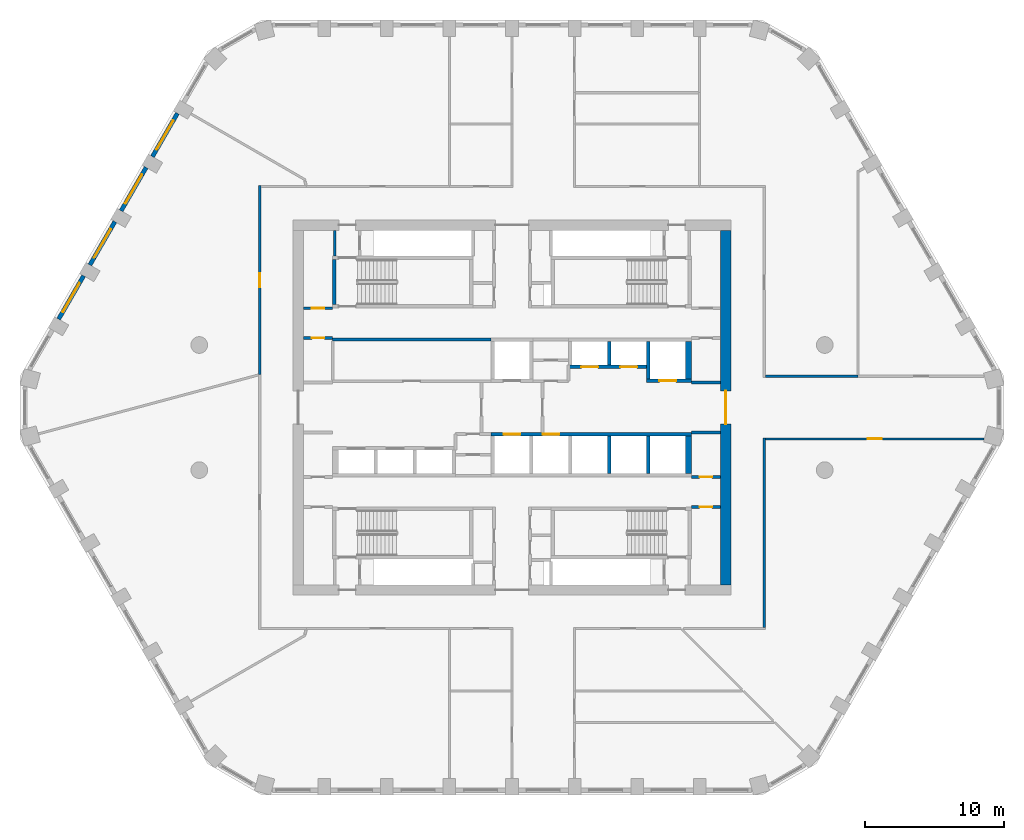
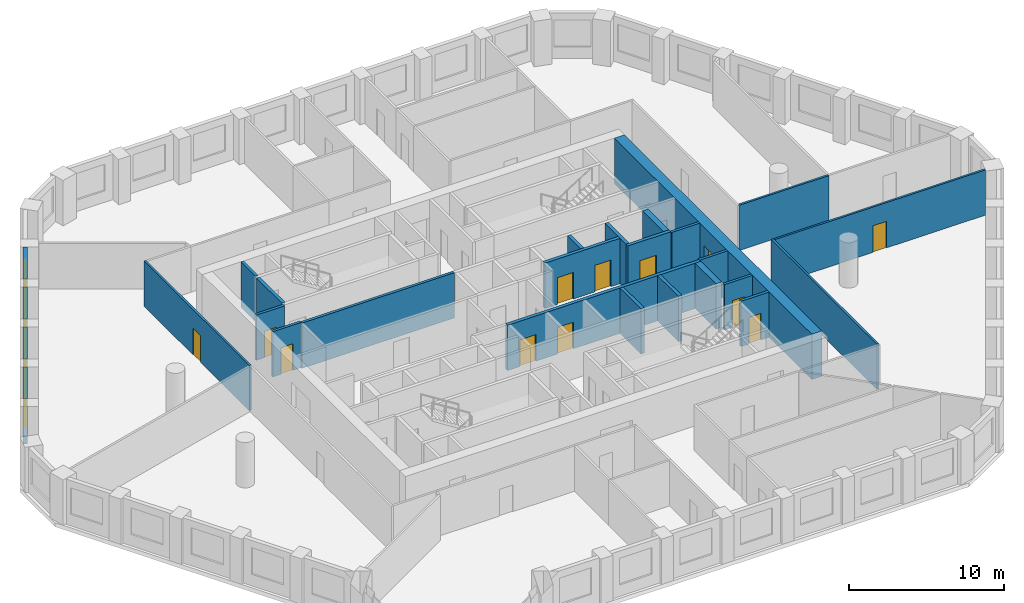
# One storey, part 5 of 9: 27 walls, 12 doors, 4 windows, 16 openings.
"""IFC4 building model written with IfcOpenShell, lengths in metres."""

from ifc_helpers import new_model, si_unit, direction, frame, frame_2d, origin, place, context, subcontext, project, spatial, polyline, rectangle, outline, extrude, material, layer, layer_set, type_object, element, fill, save


model = new_model("IFC4")

# Units and contexts
model_context = context("Model", 3, precision=1e-05, world=origin(), true_north=direction((0.0, 1.0)))
body_context = subcontext(model_context, "Body", "Model", "MODEL_VIEW")
ifc_project = project(units=[si_unit("LENGTHUNIT", "METRE"), si_unit("AREAUNIT", "SQUARE_METRE"), si_unit("VOLUMEUNIT", "CUBIC_METRE"), si_unit("PLANEANGLEUNIT", "RADIAN"), si_unit("MASSUNIT", "GRAM", prefix="KILO")], contexts=[model_context])

# Site, building, storey
site_placement = place(None, origin())
site = spatial("IfcSite", under=ifc_project, at=site_placement, CompositionType="ELEMENT")
building_placement = place(site_placement, origin())
building = spatial("IfcBuilding", under=site, at=building_placement, Name="Dhurran Vertical Campus", CompositionType="ELEMENT")
storey_placement = place(building_placement, frame((0.0, 0.0, 171.60009765625)))
storey = spatial("IfcBuildingStorey", under=building, at=storey_placement, Name="L42", CompositionType="ELEMENT", Elevation=171.60009765625)

# Wall, opening, window
ifc_material_1 = material(Name="Precast concrete C50/60", Category="concrete")
ifc_layer_1 = layer(ifc_material_1, 0.300048828125)
ifc_layer_set_1 = layer_set([ifc_layer_1], Name="Precast concrete C50/60")
wall_type_1 = type_object("IfcWallType", Name="Precast spandrel wall 300", PredefinedType="SOLIDWALL", material=ifc_layer_set_1)
wall_1_placement = place(storey_placement, frame((-24.0693359375, 21.17041015625, 0.0), z_axis=(0.0, 0.0, 1.0), x_axis=(-0.500027802648, -0.866009351323, 0.0)))
wall_1 = element("IfcWall", 1, at=wall_1_placement, inside=storey, type_object=wall_type_1, Name="EW1 L42.33", PredefinedType="SOLIDWALL", context=body_context, shape_type="SweptSolid", body=[
    extrude(rectangle(XDim=3.598876953125, YDim=0.300048828125, at=frame_2d((1.79931640625, 0.0))), origin(), (0.0, 0.0, 1.0), 3.574951171875),
])
opening_1_placement = place(wall_1_placement, frame((0.599609375, 0.0, 0.89990234375)))
opening_1 = element("IfcOpeningElement", 2, at=opening_1_placement, cuts=wall_1, Name="Opening WT1", PredefinedType="OPENING", context=body_context, shape_type="SweptSolid", body=[
    extrude(rectangle(XDim=2.39990234375, YDim=2.10009765625, at=frame_2d((1.199951171875, 1.050048828125))), frame((0.0, 0.159912109375, 0.0), z_axis=(0.0, -1.0, 0.0), x_axis=(1.0, 0.0, 0.0)), (0.0, 0.0, 1.0), 0.320068359375),
])
ifc_material_2 = material(Name="Aluminium frame with solar-control glass", Category="aluminium")
window_type = type_object("IfcWindowType", Name="Punched window 2400 x 2100", PartitioningType="SINGLE_PANEL", PredefinedType="WINDOW", material=ifc_material_2)
window_1_placement = place(opening_1_placement, origin())
window_1 = element("IfcWindow", 3, at=window_1_placement, inside=storey, type_object=window_type, Name="WT1 L42.33", OverallHeight=2.10009765625, OverallWidth=2.39990234375, PartitioningType="SINGLE_PANEL", PredefinedType="WINDOW", context=body_context, shape_type="SweptSolid", body=[
    extrude(rectangle(XDim=2.39990234375, YDim=2.10009765625, at=frame_2d((1.199951171875, 1.050048828125))), frame((0.0, 0.030029296875, 0.0), z_axis=(0.0, -1.0, 0.0), x_axis=(1.0, 0.0, 0.0)), (0.0, 0.0, 1.0), 0.06005859375),
])
fill(opening_1, window_1)

wall_2_placement = place(storey_placement, frame((-26.3193359375, 17.273193359375, 0.0), z_axis=(0.0, 0.0, 1.0), x_axis=(-0.500027802648, -0.866009351323, 0.0)))
wall_2 = element("IfcWall", 4, at=wall_2_placement, inside=storey, type_object=wall_type_1, Name="EW1 L42.34", PredefinedType="SOLIDWALL", context=body_context, shape_type="SweptSolid", body=[
    extrude(rectangle(XDim=3.598876953125, YDim=0.300048828125, at=frame_2d((1.79931640625, 0.0))), origin(), (0.0, 0.0, 1.0), 3.574951171875),
])
opening_2_placement = place(wall_2_placement, frame((0.599609375, 0.0, 0.89990234375)))
opening_2 = element("IfcOpeningElement", 5, at=opening_2_placement, cuts=wall_2, Name="Opening WT1", PredefinedType="OPENING", context=body_context, shape_type="SweptSolid", body=[
    extrude(rectangle(XDim=2.39990234375, YDim=2.10009765625, at=frame_2d((1.199951171875, 1.050048828125))), frame((0.0, 0.159912109375, 0.0), z_axis=(0.0, -1.0, 0.0), x_axis=(1.0, 0.0, 0.0)), (0.0, 0.0, 1.0), 0.320068359375),
])
window_2_placement = place(opening_2_placement, origin())
window_2 = element("IfcWindow", 6, at=window_2_placement, inside=storey, type_object=window_type, Name="WT1 L42.34", OverallHeight=2.10009765625, OverallWidth=2.39990234375, PartitioningType="SINGLE_PANEL", PredefinedType="WINDOW", context=body_context, shape_type="SweptSolid", body=[
    extrude(rectangle(XDim=2.39990234375, YDim=2.10009765625, at=frame_2d((1.199951171875, 1.050048828125))), frame((0.0, 0.030029296875, 0.0), z_axis=(0.0, -1.0, 0.0), x_axis=(1.0, 0.0, 0.0)), (0.0, 0.0, 1.0), 0.06005859375),
])
fill(opening_2, window_2)

wall_3_placement = place(storey_placement, frame((-28.5693359375, 13.376220703125, 0.0), z_axis=(0.0, 0.0, 1.0), x_axis=(-0.500027802648, -0.866009351323, 0.0)))
wall_3 = element("IfcWall", 7, at=wall_3_placement, inside=storey, type_object=wall_type_1, Name="EW1 L42.35", PredefinedType="SOLIDWALL", context=body_context, shape_type="SweptSolid", body=[
    extrude(rectangle(XDim=3.598876953125, YDim=0.300048828125, at=frame_2d((1.79931640625, 0.0))), origin(), (0.0, 0.0, 1.0), 3.574951171875),
])
opening_3_placement = place(wall_3_placement, frame((0.599609375, 0.0, 0.89990234375)))
opening_3 = element("IfcOpeningElement", 8, at=opening_3_placement, cuts=wall_3, Name="Opening WT1", PredefinedType="OPENING", context=body_context, shape_type="SweptSolid", body=[
    extrude(rectangle(XDim=2.39990234375, YDim=2.10009765625, at=frame_2d((1.199951171875, 1.050048828125))), frame((0.0, 0.159912109375, 0.0), z_axis=(0.0, -1.0, 0.0), x_axis=(1.0, 0.0, 0.0)), (0.0, 0.0, 1.0), 0.320068359375),
])
window_3_placement = place(opening_3_placement, origin())
window_3 = element("IfcWindow", 9, at=window_3_placement, inside=storey, type_object=window_type, Name="WT1 L42.35", OverallHeight=2.10009765625, OverallWidth=2.39990234375, PartitioningType="SINGLE_PANEL", PredefinedType="WINDOW", context=body_context, shape_type="SweptSolid", body=[
    extrude(rectangle(XDim=2.39990234375, YDim=2.10009765625, at=frame_2d((1.199951171875, 1.050048828125))), frame((0.0, 0.030029296875, 0.0), z_axis=(0.0, -1.0, 0.0), x_axis=(1.0, 0.0, 0.0)), (0.0, 0.0, 1.0), 0.06005859375),
])
fill(opening_3, window_3)

wall_4_placement = place(storey_placement, frame((-30.8193359375, 9.47900390625, 0.0), z_axis=(0.0, 0.0, 1.0), x_axis=(-0.500027802648, -0.866009351323, 0.0)))
wall_4 = element("IfcWall", 10, at=wall_4_placement, inside=storey, type_object=wall_type_1, Name="EW1 L42.36", PredefinedType="SOLIDWALL", context=body_context, shape_type="SweptSolid", body=[
    extrude(rectangle(XDim=3.598876953125, YDim=0.300048828125, at=frame_2d((1.79931640625, 0.0))), origin(), (0.0, 0.0, 1.0), 3.574951171875),
])
opening_4_placement = place(wall_4_placement, frame((0.599609375, 0.0, 0.89990234375)))
opening_4 = element("IfcOpeningElement", 11, at=opening_4_placement, cuts=wall_4, Name="Opening WT1", PredefinedType="OPENING", context=body_context, shape_type="SweptSolid", body=[
    extrude(rectangle(XDim=2.39990234375, YDim=2.10009765625, at=frame_2d((1.199951171875, 1.050048828125))), frame((0.0, 0.159912109375, 0.0), z_axis=(0.0, -1.0, 0.0), x_axis=(1.0, 0.0, 0.0)), (0.0, 0.0, 1.0), 0.320068359375),
])
window_4_placement = place(opening_4_placement, origin())
window_4 = element("IfcWindow", 12, at=window_4_placement, inside=storey, type_object=window_type, Name="WT1 L42.36", OverallHeight=2.10009765625, OverallWidth=2.39990234375, PartitioningType="SINGLE_PANEL", PredefinedType="WINDOW", context=body_context, shape_type="SweptSolid", body=[
    extrude(rectangle(XDim=2.39990234375, YDim=2.10009765625, at=frame_2d((1.199951171875, 1.050048828125))), frame((0.0, 0.030029296875, 0.0), z_axis=(0.0, -1.0, 0.0), x_axis=(1.0, 0.0, 0.0)), (0.0, 0.0, 1.0), 0.06005859375),
])
fill(opening_4, window_4)

# Wall, opening, door
ifc_material_3 = material(Name="Concrete C60/75", Category="concrete")
ifc_layer_2 = layer(ifc_material_3, 0.75)
ifc_layer_set_2 = layer_set([ifc_layer_2], Name="Concrete C60/75")
wall_type_2 = type_object("IfcWallType", Name="co-CORE-WALL-C1-750", PredefinedType="SHEAR", material=ifc_layer_set_2)
wall_5_placement = place(storey_placement, frame((15.375, -12.75, 0.0), z_axis=(0.0, 0.0, 1.0), x_axis=(0.0, 1.0, 0.0)))
wall_5 = element("IfcWall", 13, at=wall_5_placement, inside=storey, type_object=wall_type_2, Name="Core wall E L42", PredefinedType="SHEAR", context=body_context, shape_type="SweptSolid", body=[
    extrude(rectangle(XDim=25.5, YDim=0.75, at=frame_2d((12.75, 0.0))), origin(), (0.0, 0.0, 1.0), 3.574951171875),
])
opening_5_placement = place(wall_5_placement, frame((11.550048828125, 0.0, 0.0)))
opening_5 = element("IfcOpeningElement", 14, at=opening_5_placement, cuts=wall_5, Name="Opening CL2", PredefinedType="OPENING", context=body_context, shape_type="SweptSolid", body=[
    extrude(rectangle(XDim=2.39990234375, YDim=2.10009765625, at=frame_2d((1.199951171875, 1.050048828125))), frame((0.0, 0.385009765625, 0.0), z_axis=(0.0, -1.0, 0.0), x_axis=(1.0, 0.0, 0.0)), (0.0, 0.0, 1.0), 0.77001953125),
])
ifc_material_4 = material(Name="Fire-rated glazed door set")
door_type_1 = type_object("IfcDoorType", Name="co-D-LOBBY 2400x2100", OperationType="DOUBLE_DOOR_DOUBLE_SWING", PredefinedType="DOOR", material=ifc_material_4)
door_1_placement = place(opening_5_placement, origin())
door_1 = element("IfcDoor", 15, at=door_1_placement, inside=storey, type_object=door_type_1, Name="Lift lobby door E L42", OperationType="DOUBLE_DOOR_DOUBLE_SWING", OverallHeight=2.10009765625, OverallWidth=2.39990234375, PredefinedType="DOOR", context=body_context, shape_type="SweptSolid", body=[
    extrude(rectangle(XDim=2.39990234375, YDim=2.10009765625, at=frame_2d((1.199951171875, 1.050048828125))), frame((0.0, 0.02490234375, 0.0), z_axis=(0.0, -1.0, 0.0), x_axis=(1.0, 0.0, 0.0)), (0.0, 0.0, 1.0), 0.050048828125),
])
fill(opening_5, door_1)

# Wall
ifc_material_5 = material(Name="Fire-rated masonry blockwork", Category="masonry")
ifc_layer_3 = layer(ifc_material_5, 0.199951171875)
ifc_layer_set_3 = layer_set([ifc_layer_3], Name="Fire-rated masonry blockwork")
wall_type_3 = type_object("IfcWallType", Name="co-FIRE-PARTITION-200", PredefinedType="PARTITIONING", material=ifc_layer_set_3)
wall_6_placement = place(storey_placement, frame((-12.75, 10.89990234375, 0.0), z_axis=(0.0, 0.0, 1.0), x_axis=(0.0, 1.0, 0.0)))
element("IfcWall", 16, at=wall_6_placement, inside=storey, type_object=wall_type_3, Name="Core partition pass-ST1-o L42", PredefinedType="PARTITIONING", context=body_context, shape_type="SweptSolid", body=[
    extrude(rectangle(XDim=1.85009765625, YDim=0.199951171875, at=frame_2d((0.925048828125, 0.0))), origin(), (0.0, 0.0, 1.0), 3.574951171875),
])

# Wall, opening, door
wall_7_placement = place(storey_placement, frame((-15.0, 7.14990234375, 0.0), z_axis=(0.0, 0.0, 1.0), x_axis=(1.0, 0.0, 0.0)))
wall_7 = element("IfcWall", 17, at=wall_7_placement, inside=storey, type_object=wall_type_3, Name="Core partition en-NW-w L42", PredefinedType="PARTITIONING", context=body_context, shape_type="SweptSolid", body=[
    extrude(rectangle(XDim=2.10009765625, YDim=0.199951171875, at=frame_2d((1.050048828125, 0.0))), origin(), (0.0, 0.0, 1.0), 3.574951171875),
])
opening_6_placement = place(wall_7_placement, frame((0.60009765625, 0.0, 0.0)))
opening_6 = element("IfcOpeningElement", 18, at=opening_6_placement, cuts=wall_7, Name="Opening T12-C14", PredefinedType="OPENING", context=body_context, shape_type="SweptSolid", body=[
    extrude(rectangle(XDim=0.89990234375, YDim=2.10009765625, at=frame_2d((0.449951171875, 1.050048828125))), frame((0.0, 0.10986328125, 0.0), z_axis=(0.0, -1.0, 0.0), x_axis=(1.0, 0.0, 0.0)), (0.0, 0.0, 1.0), 0.219970703125),
])
ifc_material_6 = material(Name="Fire-rated timber door set", Category="wood")
door_type_2 = type_object("IfcDoorType", Name="co-D-ROOM 900x2100", OperationType="SINGLE_SWING_LEFT", PredefinedType="DOOR", material=ifc_material_6)
door_2_placement = place(opening_6_placement, origin())
door_2 = element("IfcDoor", 19, at=door_2_placement, inside=storey, type_object=door_type_2, Name="Plant room door L42", OperationType="SINGLE_SWING_LEFT", OverallHeight=2.10009765625, OverallWidth=0.89990234375, PredefinedType="DOOR", context=body_context, shape_type="SweptSolid", body=[
    extrude(rectangle(XDim=0.89990234375, YDim=2.10009765625, at=frame_2d((0.449951171875, 1.050048828125))), frame((0.0, 0.02490234375, 0.0), z_axis=(0.0, -1.0, 0.0), x_axis=(1.0, 0.0, 0.0)), (0.0, 0.0, 1.0), 0.050048828125),
])
fill(opening_6, door_2)

wall_8_placement = place(storey_placement, frame((-15.0, 5.0, 0.0), z_axis=(0.0, 0.0, 1.0), x_axis=(1.0, 0.0, 0.0)))
wall_8 = element("IfcWall", 20, at=wall_8_placement, inside=storey, type_object=wall_type_3, Name="Core partition es-NW-w L42", PredefinedType="PARTITIONING", context=body_context, shape_type="SweptSolid", body=[
    extrude(rectangle(XDim=2.10009765625, YDim=0.199951171875, at=frame_2d((1.050048828125, 0.0))), origin(), (0.0, 0.0, 1.0), 3.574951171875),
])
opening_7_placement = place(wall_8_placement, frame((0.60009765625, 0.0, 0.0)))
opening_7 = element("IfcOpeningElement", 21, at=opening_7_placement, cuts=wall_8, Name="Opening T12-C15", PredefinedType="OPENING", context=body_context, shape_type="SweptSolid", body=[
    extrude(rectangle(XDim=0.89990234375, YDim=2.10009765625, at=frame_2d((0.449951171875, 1.050048828125))), frame((0.0, 0.10986328125, 0.0), z_axis=(0.0, -1.0, 0.0), x_axis=(1.0, 0.0, 0.0)), (0.0, 0.0, 1.0), 0.219970703125),
])
door_3_placement = place(opening_7_placement, origin())
door_3 = element("IfcDoor", 22, at=door_3_placement, inside=storey, type_object=door_type_2, Name="Pantry door L42", OperationType="SINGLE_SWING_LEFT", OverallHeight=2.10009765625, OverallWidth=0.89990234375, PredefinedType="DOOR", context=body_context, shape_type="SweptSolid", body=[
    extrude(rectangle(XDim=0.89990234375, YDim=2.10009765625, at=frame_2d((0.449951171875, 1.050048828125))), frame((0.0, 0.02490234375, 0.0), z_axis=(0.0, -1.0, 0.0), x_axis=(1.0, 0.0, 0.0)), (0.0, 0.0, 1.0), 0.050048828125),
])
fill(opening_7, door_3)

# Wall
wall_9_placement = place(storey_placement, frame((12.89990234375, 1.800048828125, 0.0), z_axis=(0.0, 0.0, 1.0), x_axis=(1.0, 0.0, 0.0)))
element("IfcWall", 23, at=wall_9_placement, inside=storey, type_object=wall_type_3, Name="Core partition es-NE-l L42", PredefinedType="PARTITIONING", context=body_context, shape_type="SweptSolid", body=[
    extrude(rectangle(XDim=2.10009765625, YDim=0.199951171875, at=frame_2d((1.050048828125, 0.0))), origin(), (0.0, 0.0, 1.0), 3.574951171875),
])

# Wall, opening, door
wall_10_placement = place(storey_placement, frame((12.89990234375, -7.14990234375, 0.0), z_axis=(0.0, 0.0, 1.0), x_axis=(1.0, 0.0, 0.0)))
wall_10 = element("IfcWall", 24, at=wall_10_placement, inside=storey, type_object=wall_type_3, Name="Core partition en-SE-w L42", PredefinedType="PARTITIONING", context=body_context, shape_type="SweptSolid", body=[
    extrude(rectangle(XDim=2.10009765625, YDim=0.199951171875, at=frame_2d((1.050048828125, 0.0))), origin(), (0.0, 0.0, 1.0), 3.574951171875),
])
opening_8_placement = place(wall_10_placement, frame((0.60009765625, 0.0, 0.0)))
opening_8 = element("IfcOpeningElement", 25, at=opening_8_placement, cuts=wall_10, Name="Opening T12-C20", PredefinedType="OPENING", context=body_context, shape_type="SweptSolid", body=[
    extrude(rectangle(XDim=0.89990234375, YDim=2.10009765625, at=frame_2d((0.449951171875, 1.050048828125))), frame((0.0, 0.10986328125, 0.0), z_axis=(0.0, -1.0, 0.0), x_axis=(1.0, 0.0, 0.0)), (0.0, 0.0, 1.0), 0.219970703125),
])
door_4_placement = place(opening_8_placement, origin())
door_4 = element("IfcDoor", 26, at=door_4_placement, inside=storey, type_object=door_type_2, Name="Communications room door L42", OperationType="SINGLE_SWING_LEFT", OverallHeight=2.10009765625, OverallWidth=0.89990234375, PredefinedType="DOOR", context=body_context, shape_type="SweptSolid", body=[
    extrude(rectangle(XDim=0.89990234375, YDim=2.10009765625, at=frame_2d((0.449951171875, 1.050048828125))), frame((0.0, 0.02490234375, 0.0), z_axis=(0.0, -1.0, 0.0), x_axis=(1.0, 0.0, 0.0)), (0.0, 0.0, 1.0), 0.050048828125),
])
fill(opening_8, door_4)

wall_11_placement = place(storey_placement, frame((12.89990234375, -5.0, 0.0), z_axis=(0.0, 0.0, 1.0), x_axis=(1.0, 0.0, 0.0)))
wall_11 = element("IfcWall", 27, at=wall_11_placement, inside=storey, type_object=wall_type_3, Name="Core partition es-SE-w L42", PredefinedType="PARTITIONING", context=body_context, shape_type="SweptSolid", body=[
    extrude(rectangle(XDim=2.10009765625, YDim=0.199951171875, at=frame_2d((1.050048828125, 0.0))), origin(), (0.0, 0.0, 1.0), 3.574951171875),
])
opening_9_placement = place(wall_11_placement, frame((0.60009765625, 0.0, 0.0)))
opening_9 = element("IfcOpeningElement", 28, at=opening_9_placement, cuts=wall_11, Name="Opening T12-C21", PredefinedType="OPENING", context=body_context, shape_type="SweptSolid", body=[
    extrude(rectangle(XDim=0.89990234375, YDim=2.10009765625, at=frame_2d((0.449951171875, 1.050048828125))), frame((0.0, 0.10986328125, 0.0), z_axis=(0.0, -1.0, 0.0), x_axis=(1.0, 0.0, 0.0)), (0.0, 0.0, 1.0), 0.219970703125),
])
door_5_placement = place(opening_9_placement, origin())
door_5 = element("IfcDoor", 29, at=door_5_placement, inside=storey, type_object=door_type_2, Name="Cleaner's store door L42", OperationType="SINGLE_SWING_LEFT", OverallHeight=2.10009765625, OverallWidth=0.89990234375, PredefinedType="DOOR", context=body_context, shape_type="SweptSolid", body=[
    extrude(rectangle(XDim=0.89990234375, YDim=2.10009765625, at=frame_2d((0.449951171875, 1.050048828125))), frame((0.0, 0.02490234375, 0.0), z_axis=(0.0, -1.0, 0.0), x_axis=(1.0, 0.0, 0.0)), (0.0, 0.0, 1.0), 0.050048828125),
])
fill(opening_9, door_5)

# Walls
wall_12_placement = place(storey_placement, frame((12.89990234375, -1.800048828125, 0.0), z_axis=(0.0, 0.0, 1.0), x_axis=(1.0, 0.0, 0.0)))
element("IfcWall", 30, at=wall_12_placement, inside=storey, type_object=wall_type_3, Name="Core partition es-SE-l L42", PredefinedType="PARTITIONING", context=body_context, shape_type="SweptSolid", body=[
    extrude(rectangle(XDim=2.10009765625, YDim=0.199951171875, at=frame_2d((1.050048828125, 0.0))), origin(), (0.0, 0.0, 1.0), 3.574951171875),
])
wall_13_placement = place(storey_placement, frame((-12.89990234375, 4.89990234375, 0.0), z_axis=(0.0, 0.0, 1.0), x_axis=(1.0, 0.0, 0.0)))
element("IfcWall", 31, at=wall_13_placement, inside=storey, type_object=wall_type_3, Name="Core partition fr-N0-b L42", PredefinedType="PARTITIONING", context=body_context, shape_type="SweptSolid", body=[
    extrude(rectangle(XDim=11.375, YDim=0.199951171875, at=frame_2d((5.6875, 0.0))), origin(), (0.0, 0.0, 1.0), 3.574951171875),
])

# Wall, openings, doors
ifc_material_7 = material(Name="Concrete C50/60", Category="concrete")
ifc_layer_4 = layer(ifc_material_7, 0.25)
ifc_layer_set_4 = layer_set([ifc_layer_4], Name="Concrete C50/60")
wall_type_4 = type_object("IfcWallType", Name="co-SHAFT-FRONT-250", PredefinedType="SHEAR", material=ifc_layer_set_4)
wall_14_placement = place(storey_placement, frame((4.074951171875, 2.925048828125, 0.0), z_axis=(0.0, 0.0, 1.0), x_axis=(1.0, 0.0, 0.0)))
wall_14 = element("IfcWall", 32, at=wall_14_placement, inside=storey, type_object=wall_type_4, Name="Lift landing wall N L42", PredefinedType="SHEAR", context=body_context, shape_type="SweptSolid", body=[
    extrude(rectangle(XDim=5.85009765625, YDim=0.25, at=frame_2d((2.925048828125, 0.0))), origin(), (0.0, 0.0, 1.0), 3.574951171875),
])
opening_10_placement = place(wall_14_placement, frame((0.925048828125, 0.0, 0.0)))
opening_10 = element("IfcOpeningElement", 33, at=opening_10_placement, cuts=wall_14, Name="Opening LD", PredefinedType="OPENING", context=body_context, shape_type="SweptSolid", body=[
    extrude(rectangle(XDim=1.199951171875, YDim=2.10009765625, at=frame_2d((0.60009765625, 1.050048828125))), frame((0.0, 0.135009765625, 0.0), z_axis=(0.0, -1.0, 0.0), x_axis=(1.0, 0.0, 0.0)), (0.0, 0.0, 1.0), 0.27001953125),
])
opening_11_placement = place(wall_14_placement, frame((3.72509765625, 0.0, 0.0)))
opening_11 = element("IfcOpeningElement", 34, at=opening_11_placement, cuts=wall_14, Name="Opening LD", PredefinedType="OPENING", context=body_context, shape_type="SweptSolid", body=[
    extrude(rectangle(XDim=1.199951171875, YDim=2.10009765625, at=frame_2d((0.60009765625, 1.050048828125))), frame((0.0, 0.135009765625, 0.0), z_axis=(0.0, -1.0, 0.0), x_axis=(1.0, 0.0, 0.0)), (0.0, 0.0, 1.0), 0.27001953125),
])
ifc_material_8 = material(Name="Stainless steel landing door", Category="steel")
door_type_3 = type_object("IfcDoorType", Name="co-D-LANDING 1200x2100", OperationType="DOUBLE_DOOR_SLIDING", PredefinedType="DOOR", material=ifc_material_8)
door_6_placement = place(opening_10_placement, origin())
door_6 = element("IfcDoor", 35, at=door_6_placement, inside=storey, type_object=door_type_3, Name="Landing door MR1 L42", OperationType="DOUBLE_DOOR_SLIDING", OverallHeight=2.10009765625, OverallWidth=1.199951171875, PredefinedType="DOOR", context=body_context, shape_type="SweptSolid", body=[
    extrude(rectangle(XDim=1.199951171875, YDim=2.10009765625, at=frame_2d((0.60009765625, 1.050048828125))), frame((0.0, 0.02490234375, 0.0), z_axis=(0.0, -1.0, 0.0), x_axis=(1.0, 0.0, 0.0)), (0.0, 0.0, 1.0), 0.050048828125),
])
fill(opening_10, door_6)
door_7_placement = place(opening_11_placement, origin())
door_7 = element("IfcDoor", 36, at=door_7_placement, inside=storey, type_object=door_type_3, Name="Landing door MR2 L42", OperationType="DOUBLE_DOOR_SLIDING", OverallHeight=2.10009765625, OverallWidth=1.199951171875, PredefinedType="DOOR", context=body_context, shape_type="SweptSolid", body=[
    extrude(rectangle(XDim=1.199951171875, YDim=2.10009765625, at=frame_2d((0.60009765625, 1.050048828125))), frame((0.0, 0.02490234375, 0.0), z_axis=(0.0, -1.0, 0.0), x_axis=(1.0, 0.0, 0.0)), (0.0, 0.0, 1.0), 0.050048828125),
])
fill(opening_11, door_7)

# Wall, opening, door
wall_15_placement = place(storey_placement, frame((9.675048828125, 1.925048828125, 0.0), z_axis=(0.0, 0.0, 1.0), x_axis=(1.0, 0.0, 0.0)))
wall_15 = element("IfcWall", 37, at=wall_15_placement, inside=storey, type_object=wall_type_4, Name="Lift landing wall N L42", PredefinedType="SHEAR", context=body_context, shape_type="SweptSolid", body=[
    extrude(rectangle(XDim=3.224853515625, YDim=0.25, at=frame_2d((1.6123046875, 0.0))), origin(), (0.0, 0.0, 1.0), 3.574951171875),
])
opening_12_placement = place(wall_15_placement, frame((0.925048828125, 0.0, 0.0)))
opening_12 = element("IfcOpeningElement", 38, at=opening_12_placement, cuts=wall_15, Name="Opening LD", PredefinedType="OPENING", context=body_context, shape_type="SweptSolid", body=[
    extrude(rectangle(XDim=1.199951171875, YDim=2.10009765625, at=frame_2d((0.60009765625, 1.050048828125))), frame((0.0, 0.135009765625, 0.0), z_axis=(0.0, -1.0, 0.0), x_axis=(1.0, 0.0, 0.0)), (0.0, 0.0, 1.0), 0.27001953125),
])
door_8_placement = place(opening_12_placement, origin())
door_8 = element("IfcDoor", 39, at=door_8_placement, inside=storey, type_object=door_type_3, Name="Landing door SV2 L42", OperationType="DOUBLE_DOOR_SLIDING", OverallHeight=2.10009765625, OverallWidth=1.199951171875, PredefinedType="DOOR", context=body_context, shape_type="SweptSolid", body=[
    extrude(rectangle(XDim=1.199951171875, YDim=2.10009765625, at=frame_2d((0.60009765625, 1.050048828125))), frame((0.0, 0.02490234375, 0.0), z_axis=(0.0, -1.0, 0.0), x_axis=(1.0, 0.0, 0.0)), (0.0, 0.0, 1.0), 0.050048828125),
])
fill(opening_12, door_8)

# Wall, openings, doors
wall_16_placement = place(storey_placement, frame((-1.52490234375, -1.925048828125, 0.0), z_axis=(0.0, 0.0, 1.0), x_axis=(1.0, 0.0, 0.0)))
wall_16 = element("IfcWall", 40, at=wall_16_placement, inside=storey, type_object=wall_type_4, Name="Lift landing wall S L42", PredefinedType="SHEAR", context=body_context, shape_type="SweptSolid", body=[
    extrude(rectangle(XDim=14.4248046875, YDim=0.25, at=frame_2d((7.21240234375, 0.0))), origin(), (0.0, 0.0, 1.0), 3.574951171875),
])
opening_13_placement = place(wall_16_placement, frame((0.925048828125, 0.0, 0.0)))
opening_13 = element("IfcOpeningElement", 41, at=opening_13_placement, cuts=wall_16, Name="Opening LD", PredefinedType="OPENING", context=body_context, shape_type="SweptSolid", body=[
    extrude(rectangle(XDim=1.199951171875, YDim=2.10009765625, at=frame_2d((0.60009765625, 1.050048828125))), frame((0.0, 0.135009765625, 0.0), z_axis=(0.0, -1.0, 0.0), x_axis=(1.0, 0.0, 0.0)), (0.0, 0.0, 1.0), 0.27001953125),
])
opening_14_placement = place(wall_16_placement, frame((3.72509765625, 0.0, 0.0)))
opening_14 = element("IfcOpeningElement", 42, at=opening_14_placement, cuts=wall_16, Name="Opening LD", PredefinedType="OPENING", context=body_context, shape_type="SweptSolid", body=[
    extrude(rectangle(XDim=1.199951171875, YDim=2.10009765625, at=frame_2d((0.60009765625, 1.050048828125))), frame((0.0, 0.135009765625, 0.0), z_axis=(0.0, -1.0, 0.0), x_axis=(1.0, 0.0, 0.0)), (0.0, 0.0, 1.0), 0.27001953125),
])
door_9_placement = place(opening_13_placement, origin())
door_9 = element("IfcDoor", 43, at=door_9_placement, inside=storey, type_object=door_type_3, Name="Landing door FF2 L42", OperationType="DOUBLE_DOOR_SLIDING", OverallHeight=2.10009765625, OverallWidth=1.199951171875, PredefinedType="DOOR", context=body_context, shape_type="SweptSolid", body=[
    extrude(rectangle(XDim=1.199951171875, YDim=2.10009765625, at=frame_2d((0.60009765625, 1.050048828125))), frame((0.0, 0.02490234375, 0.0), z_axis=(0.0, -1.0, 0.0), x_axis=(1.0, 0.0, 0.0)), (0.0, 0.0, 1.0), 0.050048828125),
])
fill(opening_13, door_9)
door_10_placement = place(opening_14_placement, origin())
door_10 = element("IfcDoor", 44, at=door_10_placement, inside=storey, type_object=door_type_3, Name="Landing door SV1 L42", OperationType="DOUBLE_DOOR_SLIDING", OverallHeight=2.10009765625, OverallWidth=1.199951171875, PredefinedType="DOOR", context=body_context, shape_type="SweptSolid", body=[
    extrude(rectangle(XDim=1.199951171875, YDim=2.10009765625, at=frame_2d((0.60009765625, 1.050048828125))), frame((0.0, 0.02490234375, 0.0), z_axis=(0.0, -1.0, 0.0), x_axis=(1.0, 0.0, 0.0)), (0.0, 0.0, 1.0), 0.050048828125),
])
fill(opening_14, door_10)

# Walls
ifc_material_9 = material(Name="Concrete C50/60", Category="concrete")
ifc_layer_5 = layer(ifc_material_9, 0.25)
ifc_layer_set_5 = layer_set([ifc_layer_5], Name="Concrete C50/60")
wall_type_5 = type_object("IfcWallType", Name="co-SHAFT-MASS-250", PredefinedType="SHEAR", material=ifc_layer_set_5)
wall_17_placement = place(storey_placement, origin())
element("IfcWall", 45, at=wall_17_placement, inside=storey, type_object=wall_type_5, Name="Lift shaft wall N L42 5", PredefinedType="SHEAR", context=body_context, shape_type="SweptSolid", body=[
    extrude(outline(polyline([(9.675048828125, 2.050048828125), (9.925048828125, 2.050048828125), (9.925048828125, 4.75), (9.675048828125, 4.75), (9.675048828125, 2.050048828125)])), origin(), (0.0, 0.0, 1.0), 3.574951171875),
])
wall_18_placement = place(storey_placement, origin())
element("IfcWall", 46, at=wall_18_placement, inside=storey, type_object=wall_type_5, Name="Lift shaft wall N L42 6", PredefinedType="SHEAR", context=body_context, shape_type="SweptSolid", body=[
    extrude(outline(polyline([(12.47509765625, 2.050048828125), (12.89990234375, 2.050048828125), (12.89990234375, 4.75), (12.47509765625, 4.75), (12.47509765625, 2.050048828125)])), origin(), (0.0, 0.0, 1.0), 3.574951171875),
])
wall_19_placement = place(storey_placement, origin())
element("IfcWall", 47, at=wall_19_placement, inside=storey, type_object=wall_type_5, Name="Lift shaft wall N L42 8", PredefinedType="SHEAR", context=body_context, shape_type="SweptSolid", body=[
    extrude(outline(polyline([(6.875, 3.050048828125), (7.125, 3.050048828125), (7.125, 4.75), (6.875, 4.75), (6.875, 3.050048828125)])), origin(), (0.0, 0.0, 1.0), 3.574951171875),
])
wall_20_placement = place(storey_placement, origin())
element("IfcWall", 48, at=wall_20_placement, inside=storey, type_object=wall_type_5, Name="Lift shaft wall S L42 10", PredefinedType="SHEAR", context=body_context, shape_type="SweptSolid", body=[
    extrude(outline(polyline([(6.875, -4.75), (7.125, -4.75), (7.125, -2.050048828125), (6.875, -2.050048828125), (6.875, -4.75)])), origin(), (0.0, 0.0, 1.0), 3.574951171875),
])
wall_21_placement = place(storey_placement, origin())
element("IfcWall", 49, at=wall_21_placement, inside=storey, type_object=wall_type_5, Name="Lift shaft wall S L42 11", PredefinedType="SHEAR", context=body_context, shape_type="SweptSolid", body=[
    extrude(outline(polyline([(9.675048828125, -4.75), (9.925048828125, -4.75), (9.925048828125, -2.050048828125), (9.675048828125, -2.050048828125), (9.675048828125, -4.75)])), origin(), (0.0, 0.0, 1.0), 3.574951171875),
])
wall_22_placement = place(storey_placement, origin())
element("IfcWall", 50, at=wall_22_placement, inside=storey, type_object=wall_type_5, Name="Lift shaft wall S L42 12", PredefinedType="SHEAR", context=body_context, shape_type="SweptSolid", body=[
    extrude(outline(polyline([(12.47509765625, -4.75), (12.89990234375, -4.75), (12.89990234375, -2.050048828125), (12.47509765625, -2.050048828125), (12.47509765625, -4.75)])), origin(), (0.0, 0.0, 1.0), 3.574951171875),
])
ifc_material_10 = material(Name="Concrete C40/50", Category="concrete")
ifc_layer_6 = layer(ifc_material_10, 0.25)
ifc_layer_set_6 = layer_set([ifc_layer_6], Name="Concrete C40/50")
wall_type_6 = type_object("IfcWallType", Name="co-STAIR-WALL-250", PredefinedType="SHEAR", material=ifc_layer_set_6)
wall_23_placement = place(storey_placement, frame((-12.77490234375, 7.39990234375, 0.0), z_axis=(0.0, 0.0, 1.0), x_axis=(0.0, 1.0, 0.0)))
element("IfcWall", 51, at=wall_23_placement, inside=storey, type_object=wall_type_6, Name="Stair ST1 enclosure wall L42", PredefinedType="SHEAR", context=body_context, shape_type="SweptSolid", body=[
    extrude(rectangle(XDim=3.25, YDim=0.25, at=frame_2d((1.625, 0.0))), origin(), (0.0, 0.0, 1.0), 3.574951171875),
])

# Wall, opening, door
ifc_material_11 = material(Name="Gypsum board corridor wall on steel studs", Category="steel")
ifc_layer_7 = layer(ifc_material_11, 0.14990234375)
ifc_layer_set_7 = layer_set([ifc_layer_7], Name="Gypsum board corridor wall on steel studs")
wall_type_7 = type_object("IfcWallType", Name="fl-CW-150 corridor wall", PredefinedType="PARTITIONING", material=ifc_layer_set_7)
wall_24_placement = place(storey_placement, frame((-18.14990234375, 15.97509765625, 0.0), z_axis=(0.0, 0.0, 1.0), x_axis=(0.0, -1.0, 0.0)))
wall_24 = element("IfcWall", 52, at=wall_24_placement, inside=storey, type_object=wall_type_7, Name="Partition 42-06", PredefinedType="PARTITIONING", context=body_context, shape_type="SweptSolid", body=[
    extrude(rectangle(XDim=13.60400390625, YDim=0.14990234375, at=frame_2d((6.802001953125, 0.0))), origin(), (0.0, 0.0, 1.0), 3.574951171875),
])
opening_15_placement = place(wall_24_placement, frame((6.302001953125, 0.0, 0.0)))
opening_15 = element("IfcOpeningElement", 53, at=opening_15_placement, cuts=wall_24, Name="Opening T12.01", PredefinedType="OPENING", context=body_context, shape_type="SweptSolid", body=[
    extrude(rectangle(XDim=1.0, YDim=2.10009765625, at=frame_2d((0.5, 1.050048828125))), frame((0.0, 0.0849609375, 0.0), z_axis=(0.0, -1.0, 0.0), x_axis=(1.0, 0.0, 0.0)), (0.0, 0.0, 1.0), 0.169921875),
])
ifc_material_12 = material(Name="Solid-core timber door set, fire-rated", Category="wood")
door_type_4 = type_object("IfcDoorType", Name="fl-D-1000x2100", OperationType="SINGLE_SWING_LEFT", PredefinedType="DOOR", material=ifc_material_12)
door_11_placement = place(opening_15_placement, origin())
door_11 = element("IfcDoor", 54, at=door_11_placement, inside=storey, type_object=door_type_4, Name="Door 42.01", OperationType="SINGLE_SWING_LEFT", OverallHeight=2.10009765625, OverallWidth=1.0, PredefinedType="DOOR", context=body_context, shape_type="SweptSolid", body=[
    extrude(rectangle(XDim=1.0, YDim=2.10009765625, at=frame_2d((0.5, 1.050048828125))), frame((0.0, 0.02490234375, 0.0), z_axis=(0.0, -1.0, 0.0), x_axis=(1.0, 0.0, 0.0)), (0.0, 0.0, 1.0), 0.050048828125),
])
fill(opening_15, door_11)

# Wall
wall_25_placement = place(storey_placement, frame((18.14990234375, -15.824951171875, 0.0), z_axis=(0.0, 0.0, 1.0), x_axis=(0.0, 1.0, 0.0)))
element("IfcWall", 55, at=wall_25_placement, inside=storey, type_object=wall_type_7, Name="Partition 42-43", PredefinedType="PARTITIONING", context=body_context, shape_type="SweptSolid", body=[
    extrude(rectangle(XDim=13.64990234375, YDim=0.14990234375, at=frame_2d((6.824951171875, 0.0))), origin(), (0.0, 0.0, 1.0), 3.574951171875),
])

# Wall, opening, door
wall_26_placement = place(storey_placement, frame((33.9677734375, -2.25, 0.0), z_axis=(0.0, 0.0, 1.0), x_axis=(-1.0, 0.0, 0.0)))
wall_26 = element("IfcWall", 56, at=wall_26_placement, inside=storey, type_object=wall_type_7, Name="Partition 42-44", PredefinedType="PARTITIONING", context=body_context, shape_type="SweptSolid", body=[
    extrude(rectangle(XDim=15.74267578125, YDim=0.14990234375, at=frame_2d((7.871337890625, 0.0))), origin(), (0.0, 0.0, 1.0), 3.574951171875),
])
opening_16_placement = place(wall_26_placement, frame((7.371337890625, 0.0, 0.0)))
opening_16 = element("IfcOpeningElement", 57, at=opening_16_placement, cuts=wall_26, Name="Opening T12.16", PredefinedType="OPENING", context=body_context, shape_type="SweptSolid", body=[
    extrude(rectangle(XDim=1.0, YDim=2.10009765625, at=frame_2d((0.5, 1.050048828125))), frame((0.0, 0.0849609375, 0.0), z_axis=(0.0, -1.0, 0.0), x_axis=(1.0, 0.0, 0.0)), (0.0, 0.0, 1.0), 0.169921875),
])
door_12_placement = place(opening_16_placement, origin())
door_12 = element("IfcDoor", 58, at=door_12_placement, inside=storey, type_object=door_type_4, Name="Door 42.16", OperationType="SINGLE_SWING_LEFT", OverallHeight=2.10009765625, OverallWidth=1.0, PredefinedType="DOOR", context=body_context, shape_type="SweptSolid", body=[
    extrude(rectangle(XDim=1.0, YDim=2.10009765625, at=frame_2d((0.5, 1.050048828125))), frame((0.0, 0.02490234375, 0.0), z_axis=(0.0, -1.0, 0.0), x_axis=(1.0, 0.0, 0.0)), (0.0, 0.0, 1.0), 0.050048828125),
])
fill(opening_16, door_12)

# Wall
wall_27_placement = place(storey_placement, frame((18.22509765625, 2.25, 0.0), z_axis=(0.0, 0.0, 1.0), x_axis=(1.0, 0.0, 0.0)))
element("IfcWall", 59, at=wall_27_placement, inside=storey, type_object=wall_type_7, Name="Partition 42-46", PredefinedType="PARTITIONING", context=body_context, shape_type="SweptSolid", body=[
    extrude(rectangle(XDim=6.6748046875, YDim=0.14990234375, at=frame_2d((3.33740234375, 0.0))), origin(), (0.0, 0.0, 1.0), 3.574951171875),
])

save(model, "model.ifc")
